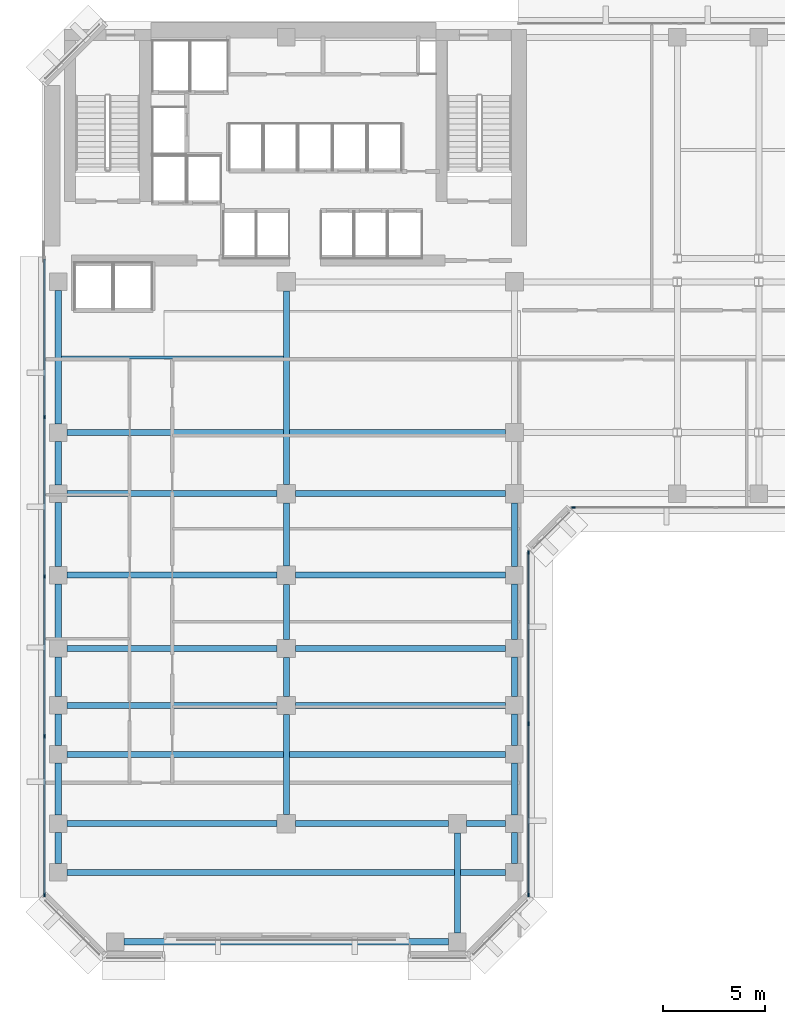
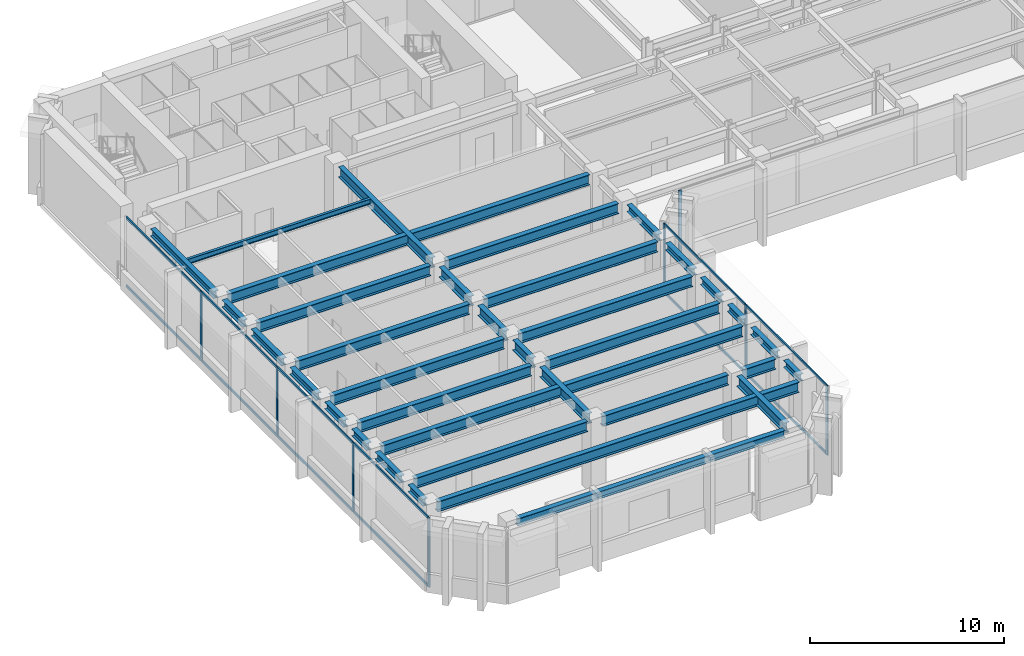
# One storey, part 2 of 13: 36 beams, 20 members, 3 elements without a shape of their own.
"""IFC4 building model written with IfcOpenShell, lengths in metres."""

from ifc_helpers import new_model, si_unit, direction, frame, origin, origin_2d, place, context, subcontext, project, spatial, rectangle, i_section, extrude, material, layer, layer_set, material_profile, profile_set, type_object, element, aggregate, save


model = new_model("IFC4")

# Units and contexts
model_context = context("Model", 3, precision=1e-05, world=origin(), true_north=direction((0.0, 1.0)))
body_context = subcontext(model_context, "Body", "Model", "MODEL_VIEW")
ifc_project = project(units=[si_unit("LENGTHUNIT", "METRE"), si_unit("AREAUNIT", "SQUARE_METRE"), si_unit("VOLUMEUNIT", "CUBIC_METRE"), si_unit("PLANEANGLEUNIT", "RADIAN"), si_unit("MASSUNIT", "GRAM", prefix="KILO")], contexts=[model_context])

# Site, building, storey
site_placement = place(None, origin())
site = spatial("IfcSite", under=ifc_project, at=site_placement, CompositionType="ELEMENT")
building_placement = place(site_placement, origin())
building = spatial("IfcBuilding", under=site, at=building_placement, Name="Kefirva Bronze Tower", CompositionType="ELEMENT")
storey_placement = place(building_placement, frame((0.0, 0.0, 130.35009765625)))
storey = spatial("IfcBuildingStorey", under=building, at=storey_placement, Name="L31", CompositionType="ELEMENT", Elevation=130.35009765625)

# Curtain wall, members
ifc_material_1 = material(Name="Bronze anodised aluminium", Category="aluminium")
ifc_layer = layer(ifc_material_1, 0.199951171875, Name="Bronze anodised aluminium")
ifc_layer_set = layer_set([ifc_layer], Name="Bronze anodised aluminium")
curtain_wall_type = type_object("IfcCurtainWallType", Name="Unitised Bronze Ribbon Curtain Wall Zone 2", PredefinedType="USERDEFINED", material=ifc_layer_set)
curtain_wall_1_placement = place(storey_placement, origin())
curtain_wall_1 = element("IfcCurtainWall", 1, at=curtain_wall_1_placement, inside=storey, type_object=curtain_wall_type, Name="L31 Curtain Wall 1", ObjectType="UNITISED CURTAIN WALL", PredefinedType="USERDEFINED")
ifc_material_profile_1 = material_profile(ifc_material_1, rectangle(XDim=0.074951171875, YDim=0.179931640625, at=origin_2d()), Name="ALU 75x180")
ifc_profile_set_1 = profile_set([ifc_material_profile_1], Name="Bronze anodised aluminium")
member_type_1 = type_object("IfcMemberType", Name="Bronze Mullion 75x180", PredefinedType="MULLION", material=ifc_profile_set_1)
member_1_placement = place(storey_placement, frame((23.8798828125, 3.092529296875, 0.0), z_axis=(0.0, 0.0, 1.0), x_axis=(-1.0, 0.0, 0.0)))
member_1 = element("IfcMember", 2, at=member_1_placement, type_object=member_type_1, Name="CW-02 mullion 1", PredefinedType="MULLION", context=body_context, shape_type="SweptSolid", body=[
    extrude(rectangle(XDim=0.074951171875, YDim=0.179931640625, at=origin_2d()), origin(), (0.0, 0.0, 1.0), 4.369873046875),
])
member_2_placement = place(storey_placement, frame((23.8798828125, 11.5, 0.0), z_axis=(0.0, 0.0, 1.0), x_axis=(-1.0, 0.0, 0.0)))
member_2 = element("IfcMember", 3, at=member_2_placement, type_object=member_type_1, Name="CW-02 mullion 2", PredefinedType="MULLION", context=body_context, shape_type="SweptSolid", body=[
    extrude(rectangle(XDim=0.074951171875, YDim=0.179931640625, at=origin_2d()), origin(), (0.0, 0.0, 1.0), 4.369873046875),
])
member_3_placement = place(storey_placement, frame((23.8798828125, 19.907470703125, 0.0), z_axis=(0.0, 0.0, 1.0), x_axis=(-1.0, 0.0, 0.0)))
member_3 = element("IfcMember", 4, at=member_3_placement, type_object=member_type_1, Name="CW-02 mullion 3", PredefinedType="MULLION", context=body_context, shape_type="SweptSolid", body=[
    extrude(rectangle(XDim=0.074951171875, YDim=0.179931640625, at=origin_2d()), origin(), (0.0, 0.0, 1.0), 4.369873046875),
])

# Curtain wall, member
curtain_wall_2_placement = place(storey_placement, origin())
curtain_wall_2 = element("IfcCurtainWall", 5, at=curtain_wall_2_placement, inside=storey, type_object=curtain_wall_type, Name="L31 Curtain Wall 2", ObjectType="UNITISED CURTAIN WALL", PredefinedType="USERDEFINED")
member_4_placement = place(storey_placement, frame((26.092529296875, 22.1201171875, 0.0), z_axis=(0.0, 0.0, 1.0), x_axis=(0.0, 1.0, 0.0)))
member_4 = element("IfcMember", 6, at=member_4_placement, type_object=member_type_1, Name="CW-02 mullion 1", PredefinedType="MULLION", context=body_context, shape_type="SweptSolid", body=[
    extrude(rectangle(XDim=0.074951171875, YDim=0.179931640625, at=origin_2d()), origin(), (0.0, 0.0, 1.0), 4.369873046875),
])
aggregate(curtain_wall_2, [member_4])

# Curtain wall, members
curtain_wall_3_placement = place(storey_placement, origin())
curtain_wall_3 = element("IfcCurtainWall", 7, at=curtain_wall_3_placement, inside=storey, type_object=curtain_wall_type, Name="L31 Curtain Wall 5", ObjectType="UNITISED CURTAIN WALL", PredefinedType="USERDEFINED")
member_5_placement = place(storey_placement, frame((0.1201171875, 26.56005859375, 0.0), z_axis=(0.0, 0.0, 1.0), x_axis=(1.0, 0.0, 0.0)))
member_5 = element("IfcMember", 8, at=member_5_placement, type_object=member_type_1, Name="CW-02 mullion 2", PredefinedType="MULLION", context=body_context, shape_type="SweptSolid", body=[
    extrude(rectangle(XDim=0.074951171875, YDim=0.179931640625, at=origin_2d()), origin(), (0.0, 0.0, 1.0), 4.369873046875),
])
member_6_placement = place(storey_placement, frame((0.1201171875, 18.72509765625, 0.0), z_axis=(0.0, 0.0, 1.0), x_axis=(1.0, 0.0, 0.0)))
member_6 = element("IfcMember", 9, at=member_6_placement, type_object=member_type_1, Name="CW-02 mullion 3", PredefinedType="MULLION", context=body_context, shape_type="SweptSolid", body=[
    extrude(rectangle(XDim=0.074951171875, YDim=0.179931640625, at=origin_2d()), origin(), (0.0, 0.0, 1.0), 4.369873046875),
])
member_7_placement = place(storey_placement, frame((0.1201171875, 10.889892578125, 0.0), z_axis=(0.0, 0.0, 1.0), x_axis=(1.0, 0.0, 0.0)))
member_7 = element("IfcMember", 10, at=member_7_placement, type_object=member_type_1, Name="CW-02 mullion 4", PredefinedType="MULLION", context=body_context, shape_type="SweptSolid", body=[
    extrude(rectangle(XDim=0.074951171875, YDim=0.179931640625, at=origin_2d()), origin(), (0.0, 0.0, 1.0), 4.369873046875),
])
member_8_placement = place(storey_placement, frame((0.1201171875, 3.092529296875, 0.0), z_axis=(0.0, 0.0, 1.0), x_axis=(1.0, 0.0, 0.0)))
member_8 = element("IfcMember", 11, at=member_8_placement, type_object=member_type_1, Name="CW-02 mullion 5", PredefinedType="MULLION", context=body_context, shape_type="SweptSolid", body=[
    extrude(rectangle(XDim=0.074951171875, YDim=0.179931640625, at=origin_2d()), origin(), (0.0, 0.0, 1.0), 4.369873046875),
])

# Member
ifc_material_profile_2 = material_profile(ifc_material_1, rectangle(XDim=0.074951171875, YDim=0.14990234375, at=origin_2d()), Name="ALU 75x150")
ifc_profile_set_2 = profile_set([ifc_material_profile_2], Name="Bronze anodised aluminium")
member_type_2 = type_object("IfcMemberType", Name="Bronze Transom 75x150", PredefinedType="USERDEFINED", material=ifc_profile_set_2)
member_9_placement = place(storey_placement, frame((23.8798828125, 3.1298828125, 0.037353515625), z_axis=(0.0, 1.0, 0.0), x_axis=(-1.0, 0.0, 0.0)))
member_9 = element("IfcMember", 12, at=member_9_placement, type_object=member_type_2, Name="CW-02 transom 1.1", ObjectType="TRANSOM", PredefinedType="USERDEFINED", context=body_context, shape_type="SweptSolid", body=[
    extrude(rectangle(XDim=0.074951171875, YDim=0.14990234375, at=origin_2d()), origin(), (0.0, 0.0, 1.0), 8.33251953125),
])

member_10_placement = place(storey_placement, frame((23.8798828125, 3.1298828125, 4.33251953125), z_axis=(0.0, 1.0, 0.0), x_axis=(-1.0, 0.0, 0.0)))
member_10 = element("IfcMember", 13, at=member_10_placement, type_object=member_type_2, Name="CW-02 transom 1.2", ObjectType="TRANSOM", PredefinedType="USERDEFINED", context=body_context, shape_type="SweptSolid", body=[
    extrude(rectangle(XDim=0.074951171875, YDim=0.14990234375, at=origin_2d()), origin(), (0.0, 0.0, 1.0), 8.33251953125),
])

member_11_placement = place(storey_placement, frame((23.8798828125, 11.53759765625, 0.037353515625), z_axis=(0.0, 1.0, 0.0), x_axis=(-1.0, 0.0, 0.0)))
member_11 = element("IfcMember", 14, at=member_11_placement, type_object=member_type_2, Name="CW-02 transom 2.1", ObjectType="TRANSOM", PredefinedType="USERDEFINED", context=body_context, shape_type="SweptSolid", body=[
    extrude(rectangle(XDim=0.074951171875, YDim=0.14990234375, at=origin_2d()), origin(), (0.0, 0.0, 1.0), 8.33251953125),
])

member_12_placement = place(storey_placement, frame((23.8798828125, 11.53759765625, 4.33251953125), z_axis=(0.0, 1.0, 0.0), x_axis=(-1.0, 0.0, 0.0)))
member_12 = element("IfcMember", 15, at=member_12_placement, type_object=member_type_2, Name="CW-02 transom 2.2", ObjectType="TRANSOM", PredefinedType="USERDEFINED", context=body_context, shape_type="SweptSolid", body=[
    extrude(rectangle(XDim=0.074951171875, YDim=0.14990234375, at=origin_2d()), origin(), (0.0, 0.0, 1.0), 8.33251953125),
])

aggregate(curtain_wall_1, [member_1, member_2, member_3, member_9, member_10, member_11, member_12])

member_13_placement = place(storey_placement, frame((0.1201171875, 34.320068359375, 0.037353515625), z_axis=(0.0, -1.0, 0.0), x_axis=(1.0, 0.0, 0.0)))
member_13 = element("IfcMember", 16, at=member_13_placement, type_object=member_type_2, Name="CW-02 transom 1.1", ObjectType="TRANSOM", PredefinedType="USERDEFINED", context=body_context, shape_type="SweptSolid", body=[
    extrude(rectangle(XDim=0.074951171875, YDim=0.14990234375, at=origin_2d()), origin(), (0.0, 0.0, 1.0), 7.72265625),
])

member_14_placement = place(storey_placement, frame((0.1201171875, 34.320068359375, 4.33251953125), z_axis=(0.0, -1.0, 0.0), x_axis=(1.0, 0.0, 0.0)))
member_14 = element("IfcMember", 17, at=member_14_placement, type_object=member_type_2, Name="CW-02 transom 1.2", ObjectType="TRANSOM", PredefinedType="USERDEFINED", context=body_context, shape_type="SweptSolid", body=[
    extrude(rectangle(XDim=0.074951171875, YDim=0.14990234375, at=origin_2d()), origin(), (0.0, 0.0, 1.0), 7.72265625),
])

member_15_placement = place(storey_placement, frame((0.1201171875, 26.5224609375, 0.037353515625), z_axis=(0.0, -1.0, 0.0), x_axis=(1.0, 0.0, 0.0)))
member_15 = element("IfcMember", 18, at=member_15_placement, type_object=member_type_2, Name="CW-02 transom 2.1", ObjectType="TRANSOM", PredefinedType="USERDEFINED", context=body_context, shape_type="SweptSolid", body=[
    extrude(rectangle(XDim=0.074951171875, YDim=0.14990234375, at=origin_2d()), origin(), (0.0, 0.0, 1.0), 7.760009765625),
])

member_16_placement = place(storey_placement, frame((0.1201171875, 26.5224609375, 4.33251953125), z_axis=(0.0, -1.0, 0.0), x_axis=(1.0, 0.0, 0.0)))
member_16 = element("IfcMember", 19, at=member_16_placement, type_object=member_type_2, Name="CW-02 transom 2.2", ObjectType="TRANSOM", PredefinedType="USERDEFINED", context=body_context, shape_type="SweptSolid", body=[
    extrude(rectangle(XDim=0.074951171875, YDim=0.14990234375, at=origin_2d()), origin(), (0.0, 0.0, 1.0), 7.760009765625),
])

member_17_placement = place(storey_placement, frame((0.1201171875, 18.6875, 0.037353515625), z_axis=(0.0, -1.0, 0.0), x_axis=(1.0, 0.0, 0.0)))
member_17 = element("IfcMember", 20, at=member_17_placement, type_object=member_type_2, Name="CW-02 transom 3.1", ObjectType="TRANSOM", PredefinedType="USERDEFINED", context=body_context, shape_type="SweptSolid", body=[
    extrude(rectangle(XDim=0.074951171875, YDim=0.14990234375, at=origin_2d()), origin(), (0.0, 0.0, 1.0), 7.760009765625),
])

member_18_placement = place(storey_placement, frame((0.1201171875, 18.6875, 4.33251953125), z_axis=(0.0, -1.0, 0.0), x_axis=(1.0, 0.0, 0.0)))
member_18 = element("IfcMember", 21, at=member_18_placement, type_object=member_type_2, Name="CW-02 transom 3.2", ObjectType="TRANSOM", PredefinedType="USERDEFINED", context=body_context, shape_type="SweptSolid", body=[
    extrude(rectangle(XDim=0.074951171875, YDim=0.14990234375, at=origin_2d()), origin(), (0.0, 0.0, 1.0), 7.760009765625),
])

member_19_placement = place(storey_placement, frame((0.1201171875, 10.8525390625, 0.037353515625), z_axis=(0.0, -1.0, 0.0), x_axis=(1.0, 0.0, 0.0)))
member_19 = element("IfcMember", 22, at=member_19_placement, type_object=member_type_2, Name="CW-02 transom 4.1", ObjectType="TRANSOM", PredefinedType="USERDEFINED", context=body_context, shape_type="SweptSolid", body=[
    extrude(rectangle(XDim=0.074951171875, YDim=0.14990234375, at=origin_2d()), origin(), (0.0, 0.0, 1.0), 7.72265625),
])

member_20_placement = place(storey_placement, frame((0.1201171875, 10.8525390625, 4.33251953125), z_axis=(0.0, -1.0, 0.0), x_axis=(1.0, 0.0, 0.0)))
member_20 = element("IfcMember", 23, at=member_20_placement, type_object=member_type_2, Name="CW-02 transom 4.2", ObjectType="TRANSOM", PredefinedType="USERDEFINED", context=body_context, shape_type="SweptSolid", body=[
    extrude(rectangle(XDim=0.074951171875, YDim=0.14990234375, at=origin_2d()), origin(), (0.0, 0.0, 1.0), 7.72265625),
])

aggregate(curtain_wall_3, [member_5, member_6, member_7, member_8, member_13, member_14, member_15, member_16, member_17, member_18, member_19, member_20])

# Beams
ifc_material_2 = material(Name="Steel S355", Category="steel")
ifc_material_profile_3 = material_profile(ifc_material_2, i_section(OverallWidth=0.159912109375, OverallDepth=0.330078125, WebThickness=0.007568359375, FlangeThickness=0.011474609375, at=origin_2d()), Name="IPE 330")
ifc_profile_set_3 = profile_set([ifc_material_profile_3], Name="Steel S355")
beam_type_1 = type_object("IfcBeamType", Name="Steel Floor Joist IPE 330", PredefinedType="JOIST", material=ifc_profile_set_3)
beam_1_placement = place(storey_placement, frame((0.949951171875, 29.489990234375, 4.204833984375), z_axis=(1.0, 0.0, 0.0), x_axis=(0.0, 1.0, 0.0)))
element("IfcBeam", 24, at=beam_1_placement, inside=storey, type_object=beam_type_1, Name="L31 JST-L31-0-294", PredefinedType="JOIST", context=body_context, shape_type="SweptSolid", body=[
    extrude(i_section(OverallWidth=0.159912109375, OverallDepth=0.330078125, WebThickness=0.007568359375, FlangeThickness=0.011474609375, at=origin_2d()), origin(), (0.0, 0.0, 1.0), 10.900146484375),
])
ifc_material_profile_4 = material_profile(ifc_material_2, i_section(OverallWidth=0.300048828125, OverallDepth=0.64990234375, WebThickness=0.01611328125, FlangeThickness=0.031005859375, at=origin_2d()), Name="HEB 650")
ifc_profile_set_4 = profile_set([ifc_material_profile_4], Name="Steel S355")
beam_type_2 = type_object("IfcBeamType", Name="Steel Girder HEB 650", PredefinedType="USERDEFINED", material=ifc_profile_set_4)
beam_2_placement = place(storey_placement, frame((1.22998046875, 4.199951171875, 4.044921875), z_axis=(1.0, 0.0, 0.0), x_axis=(0.0, 1.0, 0.0)))
element("IfcBeam", 25, at=beam_2_placement, inside=storey, type_object=beam_type_2, Name="L31 BM-L31-EW-0-42", ObjectType="GIRDER", PredefinedType="USERDEFINED", context=body_context, shape_type="SweptSolid", body=[
    extrude(i_section(OverallWidth=0.300048828125, OverallDepth=0.64990234375, WebThickness=0.01611328125, FlangeThickness=0.031005859375, at=origin_2d()), origin(), (0.0, 0.0, 1.0), 21.5400390625),
])
beam_3_placement = place(storey_placement, frame((1.22998046875, 6.60009765625, 4.044921875), z_axis=(1.0, 0.0, 0.0), x_axis=(0.0, 1.0, 0.0)))
element("IfcBeam", 26, at=beam_3_placement, inside=storey, type_object=beam_type_2, Name="L31 BM-L31-EW-0-66", ObjectType="GIRDER", PredefinedType="USERDEFINED", context=body_context, shape_type="SweptSolid", body=[
    extrude(i_section(OverallWidth=0.300048828125, OverallDepth=0.64990234375, WebThickness=0.01611328125, FlangeThickness=0.031005859375, at=origin_2d()), origin(), (0.0, 0.0, 1.0), 10.320068359375),
])
beam_4_placement = place(storey_placement, frame((12.449951171875, 6.60009765625, 4.044921875), z_axis=(1.0, 0.0, 0.0), x_axis=(0.0, 1.0, 0.0)))
element("IfcBeam", 27, at=beam_4_placement, inside=storey, type_object=beam_type_2, Name="L31 BM-L31-EW-12-66", ObjectType="GIRDER", PredefinedType="USERDEFINED", context=body_context, shape_type="SweptSolid", body=[
    extrude(i_section(OverallWidth=0.300048828125, OverallDepth=0.64990234375, WebThickness=0.01611328125, FlangeThickness=0.031005859375, at=origin_2d()), origin(), (0.0, 0.0, 1.0), 7.5),
])
beam_5_placement = place(storey_placement, frame((20.85009765625, 6.60009765625, 4.044921875), z_axis=(1.0, 0.0, 0.0), x_axis=(0.0, 1.0, 0.0)))
element("IfcBeam", 28, at=beam_5_placement, inside=storey, type_object=beam_type_2, Name="L31 BM-L31-EW-20-66", ObjectType="GIRDER", PredefinedType="USERDEFINED", context=body_context, shape_type="SweptSolid", body=[
    extrude(i_section(OverallWidth=0.300048828125, OverallDepth=0.64990234375, WebThickness=0.01611328125, FlangeThickness=0.031005859375, at=origin_2d()), origin(), (0.0, 0.0, 1.0), 1.919921875),
])
beam_6_placement = place(storey_placement, frame((1.22998046875, 10.0, 4.044921875), z_axis=(1.0, 0.0, 0.0), x_axis=(0.0, 1.0, 0.0)))
element("IfcBeam", 29, at=beam_6_placement, inside=storey, type_object=beam_type_2, Name="L31 BM-L31-EW-0-100", ObjectType="GIRDER", PredefinedType="USERDEFINED", context=body_context, shape_type="SweptSolid", body=[
    extrude(i_section(OverallWidth=0.300048828125, OverallDepth=0.64990234375, WebThickness=0.01611328125, FlangeThickness=0.031005859375, at=origin_2d()), origin(), (0.0, 0.0, 1.0), 21.5400390625),
])
for number, where, z_axis, x_axis, name in (
    (30, (1.22998046875, 12.39990234375, 4.044921875), (1.0, 0.0, 0.0), (0.0, 1.0, 0.0), "L31 BM-L31-EW-0-124"),
    (31, (12.449951171875, 12.39990234375, 4.044921875), (1.0, 0.0, 0.0), (0.0, 1.0, 0.0), "L31 BM-L31-EW-12-124"),
    (32, (1.22998046875, 15.199951171875, 4.044921875), (1.0, 0.0, 0.0), (0.0, 1.0, 0.0), "L31 BM-L31-EW-0-152"),
    (33, (12.449951171875, 15.199951171875, 4.044921875), (1.0, 0.0, 0.0), (0.0, 1.0, 0.0), "L31 BM-L31-EW-12-152"),
    (34, (1.22998046875, 18.800048828125, 4.044921875), (1.0, 0.0, 0.0), (0.0, 1.0, 0.0), "L31 BM-L31-EW-0-188"),
    (35, (12.449951171875, 18.800048828125, 4.044921875), (1.0, 0.0, 0.0), (0.0, 1.0, 0.0), "L31 BM-L31-EW-12-188"),
    (36, (1.22998046875, 22.800048828125, 4.044921875), (1.0, 0.0, 0.0), (0.0, 1.0, 0.0), "L31 BM-L31-EW-0-228"),
):
    element("IfcBeam", number, at=place(storey_placement, frame(where, z_axis=z_axis, x_axis=x_axis)), inside=storey, type_object=beam_type_2, Name=name, ObjectType="GIRDER", PredefinedType="USERDEFINED", context=body_context, shape_type="SweptSolid", body=[
        extrude(i_section(OverallWidth=0.300048828125, OverallDepth=0.64990234375, WebThickness=0.01611328125, FlangeThickness=0.031005859375, at=origin_2d()), origin(), (0.0, 0.0, 1.0), 10.320068359375),
    ])
beam_7_placement = place(storey_placement, frame((12.449951171875, 22.800048828125, 4.044921875), z_axis=(1.0, 0.0, 0.0), x_axis=(0.0, 1.0, 0.0)))
element("IfcBeam", 37, at=beam_7_placement, inside=storey, type_object=beam_type_2, Name="L31 BM-L31-EW-12-228", ObjectType="GIRDER", PredefinedType="USERDEFINED", context=body_context, shape_type="SweptSolid", body=[
    extrude(i_section(OverallWidth=0.300048828125, OverallDepth=0.64990234375, WebThickness=0.01611328125, FlangeThickness=0.031005859375, at=origin_2d()), origin(), (0.0, 0.0, 1.0), 10.300048828125),
])
beam_8_placement = place(storey_placement, frame((1.22998046875, 25.800048828125, 4.044921875), z_axis=(1.0, 0.0, 0.0), x_axis=(0.0, 1.0, 0.0)))
element("IfcBeam", 38, at=beam_8_placement, inside=storey, type_object=beam_type_2, Name="L31 BM-L31-EW-0-258", ObjectType="GIRDER", PredefinedType="USERDEFINED", context=body_context, shape_type="SweptSolid", body=[
    extrude(i_section(OverallWidth=0.300048828125, OverallDepth=0.64990234375, WebThickness=0.01611328125, FlangeThickness=0.031005859375, at=origin_2d()), origin(), (0.0, 0.0, 1.0), 21.52001953125),
])
beam_9_placement = place(storey_placement, frame((12.0, 7.050048828125, 4.044921875), z_axis=(0.0, 1.0, 0.0), x_axis=(-1.0, 0.0, 0.0)))
element("IfcBeam", 39, at=beam_9_placement, inside=storey, type_object=beam_type_2, Name="L31 BM-L31-NS-120-6", ObjectType="GIRDER", PredefinedType="USERDEFINED", context=body_context, shape_type="SweptSolid", body=[
    extrude(i_section(OverallWidth=0.300048828125, OverallDepth=0.64990234375, WebThickness=0.01611328125, FlangeThickness=0.031005859375, at=origin_2d()), origin(), (0.0, 0.0, 1.0), 4.89990234375),
])
beam_10_placement = place(storey_placement, frame((12.0, 12.85009765625, 4.044921875), z_axis=(0.0, 1.0, 0.0), x_axis=(-1.0, 0.0, 0.0)))
element("IfcBeam", 40, at=beam_10_placement, inside=storey, type_object=beam_type_2, Name="L31 BM-L31-NS-120-12", ObjectType="GIRDER", PredefinedType="USERDEFINED", context=body_context, shape_type="SweptSolid", body=[
    extrude(i_section(OverallWidth=0.300048828125, OverallDepth=0.64990234375, WebThickness=0.01611328125, FlangeThickness=0.031005859375, at=origin_2d()), origin(), (0.0, 0.0, 1.0), 1.89990234375),
])
beam_11_placement = place(storey_placement, frame((12.0, 15.64990234375, 4.044921875), z_axis=(0.0, 1.0, 0.0), x_axis=(-1.0, 0.0, 0.0)))
element("IfcBeam", 41, at=beam_11_placement, inside=storey, type_object=beam_type_2, Name="L31 BM-L31-NS-120-15", ObjectType="GIRDER", PredefinedType="USERDEFINED", context=body_context, shape_type="SweptSolid", body=[
    extrude(i_section(OverallWidth=0.300048828125, OverallDepth=0.64990234375, WebThickness=0.01611328125, FlangeThickness=0.031005859375, at=origin_2d()), origin(), (0.0, 0.0, 1.0), 2.7001953125),
])
beam_12_placement = place(storey_placement, frame((12.0, 19.25, 4.044921875), z_axis=(0.0, 1.0, 0.0), x_axis=(-1.0, 0.0, 0.0)))
element("IfcBeam", 42, at=beam_12_placement, inside=storey, type_object=beam_type_2, Name="L31 BM-L31-NS-120-18", ObjectType="GIRDER", PredefinedType="USERDEFINED", context=body_context, shape_type="SweptSolid", body=[
    extrude(i_section(OverallWidth=0.300048828125, OverallDepth=0.64990234375, WebThickness=0.01611328125, FlangeThickness=0.031005859375, at=origin_2d()), origin(), (0.0, 0.0, 1.0), 3.10009765625),
])
beam_13_placement = place(storey_placement, frame((12.0, 23.25, 4.044921875), z_axis=(0.0, 1.0, 0.0), x_axis=(-1.0, 0.0, 0.0)))
element("IfcBeam", 43, at=beam_13_placement, inside=storey, type_object=beam_type_2, Name="L31 BM-L31-NS-120-22", ObjectType="GIRDER", PredefinedType="USERDEFINED", context=body_context, shape_type="SweptSolid", body=[
    extrude(i_section(OverallWidth=0.300048828125, OverallDepth=0.64990234375, WebThickness=0.01611328125, FlangeThickness=0.031005859375, at=origin_2d()), origin(), (0.0, 0.0, 1.0), 9.5),
])
beam_14_placement = place(storey_placement, frame((20.39990234375, 1.22998046875, 4.044921875), z_axis=(0.0, 1.0, 0.0), x_axis=(-1.0, 0.0, 0.0)))
element("IfcBeam", 44, at=beam_14_placement, inside=storey, type_object=beam_type_2, Name="L31 BM-L31-NS-204-0", ObjectType="GIRDER", PredefinedType="USERDEFINED", context=body_context, shape_type="SweptSolid", body=[
    extrude(i_section(OverallWidth=0.300048828125, OverallDepth=0.64990234375, WebThickness=0.01611328125, FlangeThickness=0.031005859375, at=origin_2d()), origin(), (0.0, 0.0, 1.0), 4.919921875),
])
ifc_material_profile_5 = material_profile(ifc_material_2, i_section(OverallWidth=0.300048828125, OverallDepth=0.449951171875, WebThickness=0.013916015625, FlangeThickness=0.02587890625, at=origin_2d()), Name="HEB 450")
ifc_profile_set_5 = profile_set([ifc_material_profile_5], Name="Steel S355")
beam_type_3 = type_object("IfcBeamType", Name="Steel Spandrel HEB 450 Ext", PredefinedType="SPANDREL", material=ifc_profile_set_5)
beam_15_placement = place(storey_placement, frame((4.030029296875, 0.800048828125, 4.14501953125), z_axis=(1.0, 0.0, 0.0), x_axis=(0.0, 1.0, 0.0)))
element("IfcBeam", 45, at=beam_15_placement, inside=storey, type_object=beam_type_3, Name="L31 BM-L31-EW-3-8", PredefinedType="SPANDREL", context=body_context, shape_type="SweptSolid", body=[
    extrude(i_section(OverallWidth=0.300048828125, OverallDepth=0.449951171875, WebThickness=0.013916015625, FlangeThickness=0.02587890625, at=origin_2d()), origin(), (0.0, 0.0, 1.0), 15.93994140625),
])
beam_16_placement = place(storey_placement, frame((0.800048828125, 4.6298828125, 4.14501953125), z_axis=(0.0, 1.0, 0.0), x_axis=(-1.0, 0.0, 0.0)))
element("IfcBeam", 46, at=beam_16_placement, inside=storey, type_object=beam_type_3, Name="L31 BM-L31-NS-8-4", PredefinedType="SPANDREL", context=body_context, shape_type="SweptSolid", body=[
    extrude(i_section(OverallWidth=0.300048828125, OverallDepth=0.449951171875, WebThickness=0.013916015625, FlangeThickness=0.02587890625, at=origin_2d()), origin(), (0.0, 0.0, 1.0), 1.5400390625),
])
beam_17_placement = place(storey_placement, frame((0.800048828125, 7.030029296875, 4.14501953125), z_axis=(0.0, 1.0, 0.0), x_axis=(-1.0, 0.0, 0.0)))
element("IfcBeam", 47, at=beam_17_placement, inside=storey, type_object=beam_type_3, Name="L31 BM-L31-NS-8-6", PredefinedType="SPANDREL", context=body_context, shape_type="SweptSolid", body=[
    extrude(i_section(OverallWidth=0.300048828125, OverallDepth=0.449951171875, WebThickness=0.013916015625, FlangeThickness=0.02587890625, at=origin_2d()), origin(), (0.0, 0.0, 1.0), 2.5400390625),
])
beam_18_placement = place(storey_placement, frame((0.800048828125, 10.429931640625, 4.14501953125), z_axis=(0.0, 1.0, 0.0), x_axis=(-1.0, 0.0, 0.0)))
element("IfcBeam", 48, at=beam_18_placement, inside=storey, type_object=beam_type_3, Name="L31 BM-L31-NS-8-10", PredefinedType="SPANDREL", context=body_context, shape_type="SweptSolid", body=[
    extrude(i_section(OverallWidth=0.300048828125, OverallDepth=0.449951171875, WebThickness=0.013916015625, FlangeThickness=0.02587890625, at=origin_2d()), origin(), (0.0, 0.0, 1.0), 1.5400390625),
])
beam_19_placement = place(storey_placement, frame((0.800048828125, 12.830078125, 4.14501953125), z_axis=(0.0, 1.0, 0.0), x_axis=(-1.0, 0.0, 0.0)))
element("IfcBeam", 49, at=beam_19_placement, inside=storey, type_object=beam_type_3, Name="L31 BM-L31-NS-8-12", PredefinedType="SPANDREL", context=body_context, shape_type="SweptSolid", body=[
    extrude(i_section(OverallWidth=0.300048828125, OverallDepth=0.449951171875, WebThickness=0.013916015625, FlangeThickness=0.02587890625, at=origin_2d()), origin(), (0.0, 0.0, 1.0), 1.93994140625),
])
beam_20_placement = place(storey_placement, frame((0.800048828125, 15.6298828125, 4.14501953125), z_axis=(0.0, 1.0, 0.0), x_axis=(-1.0, 0.0, 0.0)))
element("IfcBeam", 50, at=beam_20_placement, inside=storey, type_object=beam_type_3, Name="L31 BM-L31-NS-8-15", PredefinedType="SPANDREL", context=body_context, shape_type="SweptSolid", body=[
    extrude(i_section(OverallWidth=0.300048828125, OverallDepth=0.449951171875, WebThickness=0.013916015625, FlangeThickness=0.02587890625, at=origin_2d()), origin(), (0.0, 0.0, 1.0), 2.740234375),
])
beam_21_placement = place(storey_placement, frame((0.800048828125, 19.22998046875, 4.14501953125), z_axis=(0.0, 1.0, 0.0), x_axis=(-1.0, 0.0, 0.0)))
element("IfcBeam", 51, at=beam_21_placement, inside=storey, type_object=beam_type_3, Name="L31 BM-L31-NS-8-18", PredefinedType="SPANDREL", context=body_context, shape_type="SweptSolid", body=[
    extrude(i_section(OverallWidth=0.300048828125, OverallDepth=0.449951171875, WebThickness=0.013916015625, FlangeThickness=0.02587890625, at=origin_2d()), origin(), (0.0, 0.0, 1.0), 3.14013671875),
])
beam_22_placement = place(storey_placement, frame((0.800048828125, 23.22998046875, 4.14501953125), z_axis=(0.0, 1.0, 0.0), x_axis=(-1.0, 0.0, 0.0)))
element("IfcBeam", 52, at=beam_22_placement, inside=storey, type_object=beam_type_3, Name="L31 BM-L31-NS-8-22", PredefinedType="SPANDREL", context=body_context, shape_type="SweptSolid", body=[
    extrude(i_section(OverallWidth=0.300048828125, OverallDepth=0.449951171875, WebThickness=0.013916015625, FlangeThickness=0.02587890625, at=origin_2d()), origin(), (0.0, 0.0, 1.0), 2.14013671875),
])
beam_23_placement = place(storey_placement, frame((0.800048828125, 26.22998046875, 4.14501953125), z_axis=(0.0, 1.0, 0.0), x_axis=(-1.0, 0.0, 0.0)))
element("IfcBeam", 53, at=beam_23_placement, inside=storey, type_object=beam_type_3, Name="L31 BM-L31-NS-8-25", PredefinedType="SPANDREL", context=body_context, shape_type="SweptSolid", body=[
    extrude(i_section(OverallWidth=0.300048828125, OverallDepth=0.449951171875, WebThickness=0.013916015625, FlangeThickness=0.02587890625, at=origin_2d()), origin(), (0.0, 0.0, 1.0), 6.5400390625),
])
beam_24_placement = place(storey_placement, frame((23.199951171875, 4.6298828125, 4.14501953125), z_axis=(0.0, 1.0, 0.0), x_axis=(-1.0, 0.0, 0.0)))
element("IfcBeam", 54, at=beam_24_placement, inside=storey, type_object=beam_type_3, Name="L31 BM-L31-NS-232-4", PredefinedType="SPANDREL", context=body_context, shape_type="SweptSolid", body=[
    extrude(i_section(OverallWidth=0.300048828125, OverallDepth=0.449951171875, WebThickness=0.013916015625, FlangeThickness=0.02587890625, at=origin_2d()), origin(), (0.0, 0.0, 1.0), 1.5400390625),
])
beam_25_placement = place(storey_placement, frame((23.199951171875, 7.030029296875, 4.14501953125), z_axis=(0.0, 1.0, 0.0), x_axis=(-1.0, 0.0, 0.0)))
element("IfcBeam", 55, at=beam_25_placement, inside=storey, type_object=beam_type_3, Name="L31 BM-L31-NS-232-6", PredefinedType="SPANDREL", context=body_context, shape_type="SweptSolid", body=[
    extrude(i_section(OverallWidth=0.300048828125, OverallDepth=0.449951171875, WebThickness=0.013916015625, FlangeThickness=0.02587890625, at=origin_2d()), origin(), (0.0, 0.0, 1.0), 2.5400390625),
])
beam_26_placement = place(storey_placement, frame((23.199951171875, 10.429931640625, 4.14501953125), z_axis=(0.0, 1.0, 0.0), x_axis=(-1.0, 0.0, 0.0)))
element("IfcBeam", 56, at=beam_26_placement, inside=storey, type_object=beam_type_3, Name="L31 BM-L31-NS-232-10", PredefinedType="SPANDREL", context=body_context, shape_type="SweptSolid", body=[
    extrude(i_section(OverallWidth=0.300048828125, OverallDepth=0.449951171875, WebThickness=0.013916015625, FlangeThickness=0.02587890625, at=origin_2d()), origin(), (0.0, 0.0, 1.0), 1.5400390625),
])
beam_27_placement = place(storey_placement, frame((23.199951171875, 12.830078125, 4.14501953125), z_axis=(0.0, 1.0, 0.0), x_axis=(-1.0, 0.0, 0.0)))
element("IfcBeam", 57, at=beam_27_placement, inside=storey, type_object=beam_type_3, Name="L31 BM-L31-NS-232-12", PredefinedType="SPANDREL", context=body_context, shape_type="SweptSolid", body=[
    extrude(i_section(OverallWidth=0.300048828125, OverallDepth=0.449951171875, WebThickness=0.013916015625, FlangeThickness=0.02587890625, at=origin_2d()), origin(), (0.0, 0.0, 1.0), 1.93994140625),
])
beam_28_placement = place(storey_placement, frame((23.199951171875, 15.6298828125, 4.14501953125), z_axis=(0.0, 1.0, 0.0), x_axis=(-1.0, 0.0, 0.0)))
element("IfcBeam", 58, at=beam_28_placement, inside=storey, type_object=beam_type_3, Name="L31 BM-L31-NS-232-15", PredefinedType="SPANDREL", context=body_context, shape_type="SweptSolid", body=[
    extrude(i_section(OverallWidth=0.300048828125, OverallDepth=0.449951171875, WebThickness=0.013916015625, FlangeThickness=0.02587890625, at=origin_2d()), origin(), (0.0, 0.0, 1.0), 2.740234375),
])
beam_29_placement = place(storey_placement, frame((23.199951171875, 19.22998046875, 4.14501953125), z_axis=(0.0, 1.0, 0.0), x_axis=(-1.0, 0.0, 0.0)))
element("IfcBeam", 59, at=beam_29_placement, inside=storey, type_object=beam_type_3, Name="L31 BM-L31-NS-232-18", PredefinedType="SPANDREL", context=body_context, shape_type="SweptSolid", body=[
    extrude(i_section(OverallWidth=0.300048828125, OverallDepth=0.449951171875, WebThickness=0.013916015625, FlangeThickness=0.02587890625, at=origin_2d()), origin(), (0.0, 0.0, 1.0), 3.1201171875),
])

save(model, "model.ifc")
